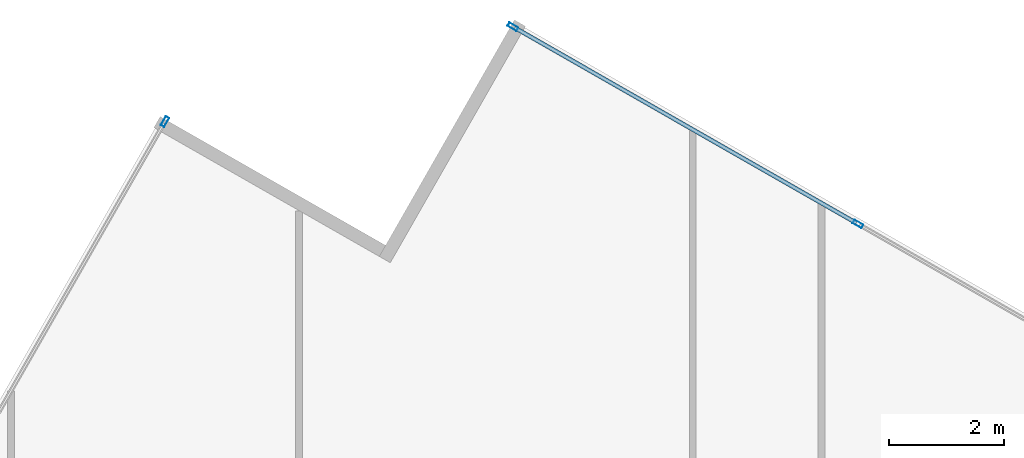
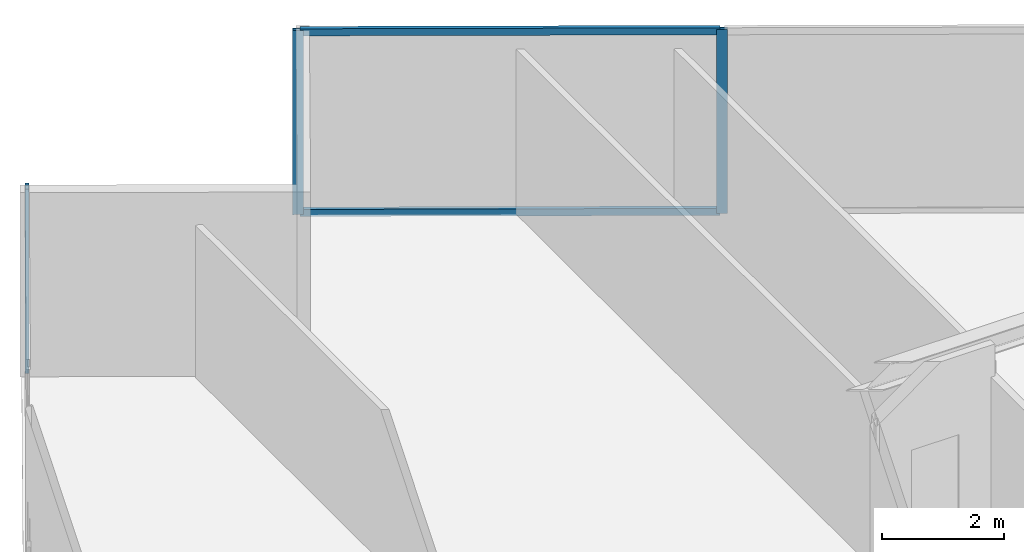
# One storey, part 15 of 24: 5 members, 2 elements without a shape of their own.
"""IFC4 building model written with IfcOpenShell, lengths in metres."""

import ifcopenshell
import ifcopenshell.guid

model = None  # the IFC model being written
_history = None  # IfcOwnerHistory: only IFC2X3 demands one
_inside = {}  # id of a spatial element -> (the spatial element, [elements in it])
_under = {}  # id of a project, library or spatial element -> (it, [spatial elements below it])
_declared = {}  # id of a project -> (the project, [libraries it declares])
_typed = {}  # id of a type object -> (the type object, [elements of that type])
_made_of = {}  # id of a material, layer set ... -> (it, [elements and type objects made of it])


def new_model(schema):
    """Start an empty IFC model of exactly this schema.

    Asked for "IFC4X3", IfcOpenShell would pick the latest addendum, in which some entities
    have other attributes; the version numbers below select the first issue.
    IFC2X3 requires an IfcOwnerHistory on every rooted entity: one is made here for all.
    """
    global model, _history
    if schema == "IFC4X3":
        model = ifcopenshell.file(schema_version=(4, 3, 0, 0))
    else:
        model = ifcopenshell.file(schema=schema)
    _inside.clear()
    _under.clear()
    _declared.clear()
    _typed.clear()
    _made_of.clear()
    _history = None
    if model.schema == "IFC2X3":
        org = make("IfcOrganization", Name="unknown")
        user = make(
            "IfcPersonAndOrganization",
            ThePerson=make("IfcPerson", FamilyName="unknown"),
            TheOrganization=org,
        )
        app = make(
            "IfcApplication",
            ApplicationDeveloper=org,
            Version="unknown",
            ApplicationFullName="unknown",
            ApplicationIdentifier="unknown",
        )
        _history = make(
            "IfcOwnerHistory",
            OwningUser=user,
            OwningApplication=app,
            ChangeAction="ADDED",
            CreationDate=0,
        )
    return model


def make(cls, **values):
    """One entity of the class cls with the attributes given. An attribute that is None is left unset."""
    return model.create_entity(
        cls, **{name: value for name, value in values.items() if value is not None}
    )


def rooted(cls, **values):
    """An entity with a GlobalId (a new one), such as an element, a storey or a relation."""
    return make(cls, GlobalId=ifcopenshell.guid.new(), OwnerHistory=_history, **values)


def si_unit(unit_type, name, prefix=None):
    """IfcSIUnit, for example si_unit("LENGTHUNIT", "METRE", prefix="MILLI")."""
    return make("IfcSIUnit", UnitType=unit_type, Prefix=prefix, Name=name)


def assignment(units):
    """IfcUnitAssignment: the units of a project."""
    return None if units is None else make("IfcUnitAssignment", Units=units)


def point(xyz):
    """IfcCartesianPoint."""
    return None if xyz is None else make("IfcCartesianPoint", Coordinates=xyz)


def direction(xyz):
    """IfcDirection."""
    return None if xyz is None else make("IfcDirection", DirectionRatios=xyz)


def frame(location, z_axis=None, x_axis=None):
    """IfcAxis2Placement3D, a coordinate frame: its origin and axes. An axis left out is left unset."""
    return make(
        "IfcAxis2Placement3D",
        Location=point(location),
        Axis=direction(z_axis),
        RefDirection=direction(x_axis),
    )


def frame_2d(location, x_axis=None):
    """IfcAxis2Placement2D, a coordinate frame in the plane: its origin and x axis."""
    return make(
        "IfcAxis2Placement2D", Location=point(location), RefDirection=direction(x_axis)
    )


def origin():
    """The frame at (0, 0, 0) with its axes left unset."""
    return frame((0.0, 0.0, 0.0))


def origin_2d():
    """The frame at (0, 0) in the plane with its x axis left unset."""
    return frame_2d((0.0, 0.0))


def place(relative_to, where):
    """IfcLocalPlacement: puts the frame where relative to a parent placement (None: the world)."""
    return make(
        "IfcLocalPlacement", PlacementRelTo=relative_to, RelativePlacement=where
    )


def context(
    kind, dimensions, precision=None, world=None, true_north=None, identifier=None
):
    """IfcGeometricRepresentationContext, for example the 3D "Model" context."""
    return make(
        "IfcGeometricRepresentationContext",
        ContextIdentifier=identifier,
        ContextType=kind,
        CoordinateSpaceDimension=dimensions,
        Precision=precision,
        WorldCoordinateSystem=world,
        TrueNorth=true_north,
    )


def subcontext(parent, identifier, kind, view, scale=None):
    """IfcGeometricRepresentationSubContext, for example "Body" below "Model"."""
    return make(
        "IfcGeometricRepresentationSubContext",
        ContextIdentifier=identifier,
        ContextType=kind,
        ParentContext=parent,
        TargetScale=scale,
        TargetView=view,
    )


def project(units=None, contexts=None):
    """IfcProject with its units and contexts."""
    return rooted(
        "IfcProject",
        Name="project",
        RepresentationContexts=contexts,
        UnitsInContext=assignment(units),
    )


def spatial(cls, under=None, at=None, **own):
    """A site, building, storey or space (cls), placed at a placement, below another one or the project."""
    s = rooted(cls, ObjectPlacement=at, **own)
    if under is not None:
        _under.setdefault(under.id(), (under, []))[1].append(s)
    return s


def profile(cls, at=None, kind="AREA", **sizes):
    """A parametric profile (cls). Its sizes go by their IFC names, for example OverallWidth=200.0."""
    return make(cls, ProfileType=kind, Position=at, **sizes)


def hollow_rectangle(**sizes):
    """IfcRectangleHollowProfileDef."""
    return profile("IfcRectangleHollowProfileDef", **sizes)


def extrude(swept, where, along, depth):
    """IfcExtrudedAreaSolid: the profile swept, set in the frame where, extruded along a direction by depth."""
    return make(
        "IfcExtrudedAreaSolid",
        SweptArea=swept,
        Position=where,
        ExtrudedDirection=direction(along),
        Depth=depth,
    )


def shape(context_of_items, identifier, shape_type, items):
    """IfcShapeRepresentation: the items that make up one representation, for example the "Body"."""
    return make(
        "IfcShapeRepresentation",
        ContextOfItems=context_of_items,
        RepresentationIdentifier=identifier,
        RepresentationType=shape_type,
        Items=items,
    )


def source(mapping_origin, context_of_items, identifier, shape_type, items):
    """IfcRepresentationMap: a shape defined once, which mapped items show again and again."""
    return make(
        "IfcRepresentationMap",
        MappingOrigin=mapping_origin,
        MappedRepresentation=shape(context_of_items, identifier, shape_type, items),
    )


def transform(
    local_origin,
    x_axis=None,
    y_axis=None,
    z_axis=None,
    scale=None,
    scale2=None,
    scale3=None,
    uniform=True,
):
    """IfcCartesianTransformationOperator3D, or its non-uniform kind. x_axis, y_axis, z_axis: its Axis1, 2, 3."""
    if uniform:
        return make(
            "IfcCartesianTransformationOperator3D",
            Axis1=direction(x_axis),
            Axis2=direction(y_axis),
            LocalOrigin=point(local_origin),
            Scale=scale,
            Axis3=direction(z_axis),
        )
    return make(
        "IfcCartesianTransformationOperator3DnonUniform",
        Axis1=direction(x_axis),
        Axis2=direction(y_axis),
        LocalOrigin=point(local_origin),
        Scale=scale,
        Axis3=direction(z_axis),
        Scale2=scale2,
        Scale3=scale3,
    )


def mapped(mapping_source, mapping_target):
    """IfcMappedItem: shows the shape of a source again, moved by a transform."""
    return make(
        "IfcMappedItem", MappingSource=mapping_source, MappingTarget=mapping_target
    )


def material(Name=None, Category=None):
    """IfcMaterial."""
    return make("IfcMaterial", Name=Name, Category=Category)


def material_profile(
    of_material, cross_section, Name=None, Category=None, Priority=None
):
    """IfcMaterialProfile: a cross section and its material."""
    return make(
        "IfcMaterialProfile",
        Name=Name,
        Material=of_material,
        Profile=cross_section,
        Priority=Priority,
        Category=Category,
    )


def profile_set(profiles, Name=None, composite=None):
    """IfcMaterialProfileSet."""
    return make(
        "IfcMaterialProfileSet",
        Name=Name,
        MaterialProfiles=profiles,
        CompositeProfile=composite,
    )


def made_of(thing, what):
    """Note that an element or type object is made of a material, layer set ...; save() writes the relation."""
    if what is not None:
        _made_of.setdefault(what.id(), (what, []))[1].append(thing)
    return thing


def type_object(cls, material=None, **own):
    """A type object (cls), such as IfcWallType, which elements share."""
    return made_of(rooted(cls, **own), material)


def type_shapes(of_type, sources):
    """Give a type object the sources (RepresentationMaps) that its elements show as mapped items."""
    of_type.RepresentationMaps = sources


def element(
    cls,
    number,
    at=None,
    inside=None,
    cuts=None,
    type_object=None,
    material=None,
    context=None,
    identifier="Body",
    shape_type=None,
    held_by="IfcProductDefinitionShape",
    body=None,
    shapes=None,
    **own,
):
    """One element of the class cls, such as IfcWall. Its Tag is "e" and its number.

    at: its placement. inside: the storey or other place that contains it. cuts: it is an
    opening in that element (IfcRelVoidsElement). A single representation is given by context,
    identifier, shape_type and body (its items); several are given by shapes. held_by: the class
    of the entity that holds the representations. save() writes the other relations.
    """
    e = rooted(cls, Tag="e%d" % number, ObjectPlacement=at, **own)
    if body is not None:
        shapes = [shape(context, identifier, shape_type, body)]
    if shapes is not None:
        e.Representation = make(held_by, Representations=shapes)
    if inside is not None:
        _inside.setdefault(inside.id(), (inside, []))[1].append(e)
    if cuts is not None:
        rooted(
            "IfcRelVoidsElement", RelatingBuildingElement=cuts, RelatedOpeningElement=e
        )
    if type_object is not None:
        _typed.setdefault(type_object.id(), (type_object, []))[1].append(e)
    return made_of(e, material)


def aggregate(whole, parts):
    """IfcRelAggregates: a whole, such as a stair, and the parts it consists of."""
    return rooted("IfcRelAggregates", RelatingObject=whole, RelatedObjects=parts)


def save(model, path):
    """Write the relations noted so far, then the file.

    IfcRelAggregates (storeys below a building ...), IfcRelContainedInSpatialStructure (elements
    in a storey), IfcRelDefinesByType, IfcRelAssociatesMaterial and IfcRelDeclares: one each for
    every whole, place, type object, material and project.
    """
    for whole, parts in _under.values():
        aggregate(whole, parts)
    for where, things in _inside.values():
        rooted(
            "IfcRelContainedInSpatialStructure",
            RelatedElements=things,
            RelatingStructure=where,
        )
    for kind, things in _typed.values():
        rooted("IfcRelDefinesByType", RelatedObjects=things, RelatingType=kind)
    for what, things in _made_of.values():
        rooted("IfcRelAssociatesMaterial", RelatedObjects=things, RelatingMaterial=what)
    for by, libraries in _declared.values():
        rooted("IfcRelDeclares", RelatingContext=by, RelatedDefinitions=libraries)
    model.write(path)


model = new_model("IFC4")

# Units and contexts
model_context = context("Model", 3, precision=1e-05, world=origin(), true_north=direction((0.0, 1.0)))
body_context = subcontext(model_context, "Body", "Model", "MODEL_VIEW")
ifc_project = project(units=[si_unit("LENGTHUNIT", "METRE"), si_unit("AREAUNIT", "SQUARE_METRE"), si_unit("VOLUMEUNIT", "CUBIC_METRE"), si_unit("PLANEANGLEUNIT", "RADIAN"), si_unit("MASSUNIT", "GRAM", prefix="KILO")], contexts=[model_context])

# Site, building, storey
site_placement = place(None, origin())
site = spatial("IfcSite", under=ifc_project, at=site_placement, CompositionType="ELEMENT")
building_placement = place(site_placement, origin())
building = spatial("IfcBuilding", under=site, at=building_placement, Name="Krantzveldt Concourse Tower", CompositionType="ELEMENT")
storey_placement = place(building_placement, frame((0.0, 0.0, 169.89990234375)))
storey = spatial("IfcBuildingStorey", under=building, at=storey_placement, Name="L41", CompositionType="ELEMENT", Elevation=169.89990234375)

# Curtain wall, member
ifc_material = material(Name="Anodised aluminium 6063-T6", Category="aluminium")
curtain_wall_type = type_object("IfcCurtainWallType", Name="CW3", PredefinedType="USERDEFINED", material=ifc_material)
curtain_wall_1_placement = place(storey_placement, origin())
curtain_wall_1 = element("IfcCurtainWall", 1, at=curtain_wall_1_placement, inside=storey, type_object=curtain_wall_type, Name="CW-L41-F01", ObjectType="UNITISED CURTAIN WALL", PredefinedType="USERDEFINED")
ifc_material_profile_1 = material_profile(ifc_material, hollow_rectangle(XDim=0.070068359375, YDim=0.179931640625, WallThickness=0.0048828125, at=origin_2d()), Name="Anodised aluminium 6063-T6", Category="aluminium")
ifc_profile_set_1 = profile_set([ifc_material_profile_1], Name="Anodised aluminium 6063-T6 - ALU-MULL 180x70x5")
member_type_1 = type_object("IfcMemberType", Name="CW-MUL-180", PredefinedType="MULLION", material=ifc_profile_set_1)
shared_shape_1 = source(origin(), body_context, "Body", "SweptSolid", [
    extrude(hollow_rectangle(XDim=0.070068359375, YDim=0.179931640625, WallThickness=0.0048828125, at=origin_2d()), origin(), (0.0, 0.0, 1.0), 3.670166015625),
])
type_shapes(member_type_1, [shared_shape_1])
member_1_placement = place(storey_placement, frame((25.681396484375, 52.5986328125, 0.0), z_axis=(0.0, 0.0, 1.0), x_axis=(0.868198885255, -0.496216379861, 0.0)))
member_1 = element("IfcMember", 2, at=member_1_placement, type_object=member_type_1, Name="CW-Z34 mullion 1", PredefinedType="MULLION", context=body_context, shape_type="MappedRepresentation", body=[
    mapped(shared_shape_1, transform((0.0, 0.0, 0.0), x_axis=(1.0, 0.0, 0.0), y_axis=(0.0, 1.0, 0.0), z_axis=(0.0, 0.0, 1.0), scale=1.0)),
])
aggregate(curtain_wall_1, [member_1])

# Curtain wall, members
curtain_wall_2_placement = place(storey_placement, origin())
curtain_wall_2 = element("IfcCurtainWall", 3, at=curtain_wall_2_placement, inside=storey, type_object=curtain_wall_type, Name="CW-L41-F14", ObjectType="UNITISED CURTAIN WALL", PredefinedType="USERDEFINED")
member_2_placement = place(storey_placement, frame((37.758544921875, 50.81591796875, 0.0), z_axis=(0.0, 0.0, 1.0), x_axis=(-0.496216394392, -0.868198876949, 0.0)))
member_2 = element("IfcMember", 4, at=member_2_placement, type_object=member_type_1, Name="CW-Z34 mullion 5", PredefinedType="MULLION", context=body_context, shape_type="MappedRepresentation", body=[
    mapped(shared_shape_1, transform((0.0, 0.0, 0.0), x_axis=(1.0, 0.0, 0.0), y_axis=(0.0, 1.0, 0.0), z_axis=(0.0, 0.0, 1.0), scale=1.0)),
])
member_3_placement = place(storey_placement, frame((31.74609375, 54.252197265625, 0.0), z_axis=(0.0, 0.0, 1.0), x_axis=(-0.496216394392, -0.868198876949, 0.0)))
member_3 = element("IfcMember", 5, at=member_3_placement, type_object=member_type_1, Name="CW-Z34 mullion 6", PredefinedType="MULLION", context=body_context, shape_type="MappedRepresentation", body=[
    mapped(shared_shape_1, transform((0.0, 0.0, 0.0), x_axis=(1.0, 0.0, 0.0), y_axis=(0.0, 1.0, 0.0), z_axis=(0.0, 0.0, 1.0), scale=1.0)),
])
ifc_material_profile_2 = material_profile(ifc_material, hollow_rectangle(XDim=0.070068359375, YDim=0.139892578125, WallThickness=0.0048828125, at=origin_2d()), Name="Anodised aluminium 6063-T6", Category="aluminium")
ifc_profile_set_2 = profile_set([ifc_material_profile_2], Name="Anodised aluminium 6063-T6 - ALU-TRAN 140x70x5")
member_type_2 = type_object("IfcMemberType", Name="CW-TRN-150", PredefinedType="USERDEFINED", material=ifc_profile_set_2)
shared_shape_2 = source(origin(), body_context, "Body", "SweptSolid", [
    extrude(hollow_rectangle(XDim=0.070068359375, YDim=0.139892578125, WallThickness=0.0048828125, at=origin_2d()), origin(), (0.0, 0.0, 1.0), 6.85498046875),
])
type_shapes(member_type_2, [shared_shape_2])
member_4_placement = place(storey_placement, frame((37.72802734375, 50.833251953125, 0.03515625), z_axis=(-0.868192728379, 0.496227152008, 0.0), x_axis=(-0.496227152008, -0.868192728379, 0.0)))
member_4 = element("IfcMember", 6, at=member_4_placement, type_object=member_type_2, Name="CW-Z34 transom 5.1", ObjectType="TRANSOM", PredefinedType="USERDEFINED", context=body_context, shape_type="MappedRepresentation", body=[
    mapped(shared_shape_2, transform((0.0, 0.0, 0.0), x_axis=(1.0, 0.0, 0.0), y_axis=(0.0, 1.0, 0.0), z_axis=(0.0, 0.0, 1.0), scale=1.0)),
])
member_5_placement = place(storey_placement, frame((37.72802734375, 50.833251953125, 3.635009765625), z_axis=(-0.868192728379, 0.496227152008, 0.0), x_axis=(-0.496227152008, -0.868192728379, 0.0)))
member_5 = element("IfcMember", 7, at=member_5_placement, type_object=member_type_2, Name="CW-Z34 transom 5.2", ObjectType="TRANSOM", PredefinedType="USERDEFINED", context=body_context, shape_type="MappedRepresentation", body=[
    mapped(shared_shape_2, transform((0.0, 0.0, 0.0), x_axis=(1.0, 0.0, 0.0), y_axis=(0.0, 1.0, 0.0), z_axis=(0.0, 0.0, 1.0), scale=1.0)),
])
aggregate(curtain_wall_2, [member_2, member_3, member_4, member_5])

save(model, "model.ifc")
